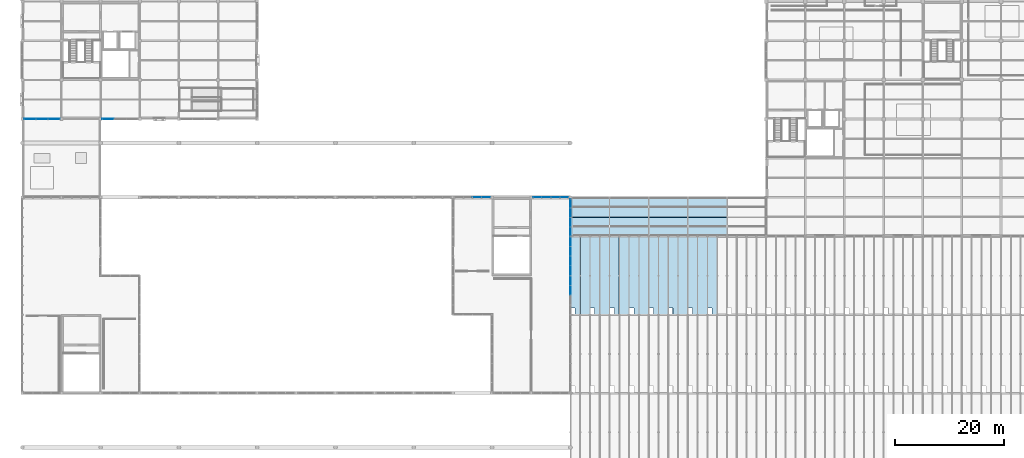
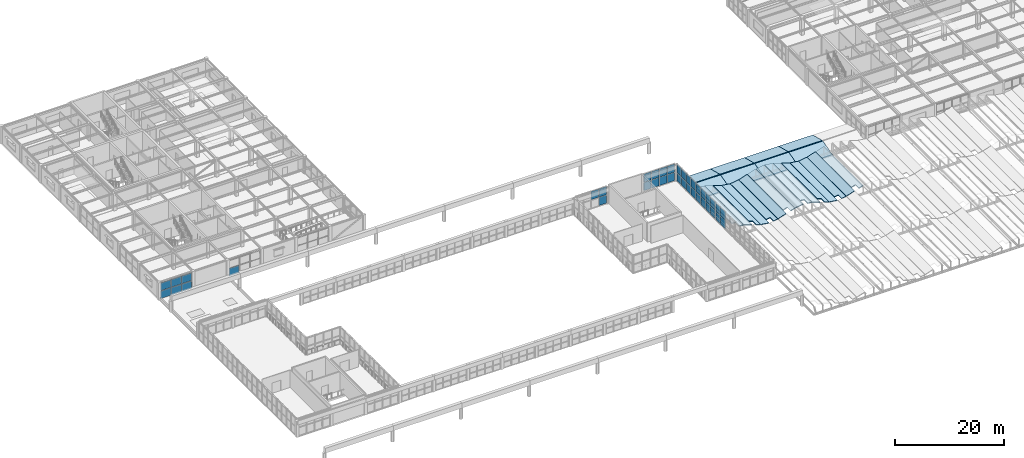
# One storey, part 56 of 83: 38 plates, 23 slabs, 7 elements without a shape of their own.
"""IFC4 building model written with IfcOpenShell, lengths in metres."""

import ifcopenshell
import ifcopenshell.guid

model = None  # the IFC model being written
_history = None  # IfcOwnerHistory: only IFC2X3 demands one
_inside = {}  # id of a spatial element -> (the spatial element, [elements in it])
_under = {}  # id of a project, library or spatial element -> (it, [spatial elements below it])
_declared = {}  # id of a project -> (the project, [libraries it declares])
_typed = {}  # id of a type object -> (the type object, [elements of that type])
_made_of = {}  # id of a material, layer set ... -> (it, [elements and type objects made of it])


def new_model(schema):
    """Start an empty IFC model of exactly this schema.

    Asked for "IFC4X3", IfcOpenShell would pick the latest addendum, in which some entities
    have other attributes; the version numbers below select the first issue.
    IFC2X3 requires an IfcOwnerHistory on every rooted entity: one is made here for all.
    """
    global model, _history
    if schema == "IFC4X3":
        model = ifcopenshell.file(schema_version=(4, 3, 0, 0))
    else:
        model = ifcopenshell.file(schema=schema)
    _inside.clear()
    _under.clear()
    _declared.clear()
    _typed.clear()
    _made_of.clear()
    _history = None
    if model.schema == "IFC2X3":
        org = make("IfcOrganization", Name="unknown")
        user = make(
            "IfcPersonAndOrganization",
            ThePerson=make("IfcPerson", FamilyName="unknown"),
            TheOrganization=org,
        )
        app = make(
            "IfcApplication",
            ApplicationDeveloper=org,
            Version="unknown",
            ApplicationFullName="unknown",
            ApplicationIdentifier="unknown",
        )
        _history = make(
            "IfcOwnerHistory",
            OwningUser=user,
            OwningApplication=app,
            ChangeAction="ADDED",
            CreationDate=0,
        )
    return model


def make(cls, **values):
    """One entity of the class cls with the attributes given. An attribute that is None is left unset."""
    return model.create_entity(
        cls, **{name: value for name, value in values.items() if value is not None}
    )


def rooted(cls, **values):
    """An entity with a GlobalId (a new one), such as an element, a storey or a relation."""
    return make(cls, GlobalId=ifcopenshell.guid.new(), OwnerHistory=_history, **values)


def si_unit(unit_type, name, prefix=None):
    """IfcSIUnit, for example si_unit("LENGTHUNIT", "METRE", prefix="MILLI")."""
    return make("IfcSIUnit", UnitType=unit_type, Prefix=prefix, Name=name)


def assignment(units):
    """IfcUnitAssignment: the units of a project."""
    return None if units is None else make("IfcUnitAssignment", Units=units)


def point(xyz):
    """IfcCartesianPoint."""
    return None if xyz is None else make("IfcCartesianPoint", Coordinates=xyz)


def direction(xyz):
    """IfcDirection."""
    return None if xyz is None else make("IfcDirection", DirectionRatios=xyz)


def frame(location, z_axis=None, x_axis=None):
    """IfcAxis2Placement3D, a coordinate frame: its origin and axes. An axis left out is left unset."""
    return make(
        "IfcAxis2Placement3D",
        Location=point(location),
        Axis=direction(z_axis),
        RefDirection=direction(x_axis),
    )


def frame_2d(location, x_axis=None):
    """IfcAxis2Placement2D, a coordinate frame in the plane: its origin and x axis."""
    return make(
        "IfcAxis2Placement2D", Location=point(location), RefDirection=direction(x_axis)
    )


def origin():
    """The frame at (0, 0, 0) with its axes left unset."""
    return frame((0.0, 0.0, 0.0))


def origin_2d():
    """The frame at (0, 0) in the plane with its x axis left unset."""
    return frame_2d((0.0, 0.0))


def place(relative_to, where):
    """IfcLocalPlacement: puts the frame where relative to a parent placement (None: the world)."""
    return make(
        "IfcLocalPlacement", PlacementRelTo=relative_to, RelativePlacement=where
    )


def context(
    kind, dimensions, precision=None, world=None, true_north=None, identifier=None
):
    """IfcGeometricRepresentationContext, for example the 3D "Model" context."""
    return make(
        "IfcGeometricRepresentationContext",
        ContextIdentifier=identifier,
        ContextType=kind,
        CoordinateSpaceDimension=dimensions,
        Precision=precision,
        WorldCoordinateSystem=world,
        TrueNorth=true_north,
    )


def subcontext(parent, identifier, kind, view, scale=None):
    """IfcGeometricRepresentationSubContext, for example "Body" below "Model"."""
    return make(
        "IfcGeometricRepresentationSubContext",
        ContextIdentifier=identifier,
        ContextType=kind,
        ParentContext=parent,
        TargetScale=scale,
        TargetView=view,
    )


def project(units=None, contexts=None):
    """IfcProject with its units and contexts."""
    return rooted(
        "IfcProject",
        Name="project",
        RepresentationContexts=contexts,
        UnitsInContext=assignment(units),
    )


def spatial(cls, under=None, at=None, **own):
    """A site, building, storey or space (cls), placed at a placement, below another one or the project."""
    s = rooted(cls, ObjectPlacement=at, **own)
    if under is not None:
        _under.setdefault(under.id(), (under, []))[1].append(s)
    return s


def polyline(points):
    """IfcPolyline through the points."""
    return make("IfcPolyline", Points=[point(p) for p in points])


def profile(cls, at=None, kind="AREA", **sizes):
    """A parametric profile (cls). Its sizes go by their IFC names, for example OverallWidth=200.0."""
    return make(cls, ProfileType=kind, Position=at, **sizes)


def rectangle(**sizes):
    """IfcRectangleProfileDef."""
    return profile("IfcRectangleProfileDef", **sizes)


def outline(outer, holes=None, kind="AREA"):
    """IfcArbitraryClosedProfileDef: a profile drawn as a closed curve; with holes, ...WithVoids."""
    if holes is None:
        return make("IfcArbitraryClosedProfileDef", ProfileType=kind, OuterCurve=outer)
    return make(
        "IfcArbitraryProfileDefWithVoids",
        ProfileType=kind,
        OuterCurve=outer,
        InnerCurves=holes,
    )


def extrude(swept, where, along, depth):
    """IfcExtrudedAreaSolid: the profile swept, set in the frame where, extruded along a direction by depth."""
    return make(
        "IfcExtrudedAreaSolid",
        SweptArea=swept,
        Position=where,
        ExtrudedDirection=direction(along),
        Depth=depth,
    )


def shape(context_of_items, identifier, shape_type, items):
    """IfcShapeRepresentation: the items that make up one representation, for example the "Body"."""
    return make(
        "IfcShapeRepresentation",
        ContextOfItems=context_of_items,
        RepresentationIdentifier=identifier,
        RepresentationType=shape_type,
        Items=items,
    )


def material(Name=None, Category=None):
    """IfcMaterial."""
    return make("IfcMaterial", Name=Name, Category=Category)


def layer(
    of_material, thickness, ventilated=None, Name=None, Category=None, Priority=None
):
    """IfcMaterialLayer: one layer of a wall or slab, of a material (None: an air gap)."""
    return make(
        "IfcMaterialLayer",
        Material=of_material,
        LayerThickness=thickness,
        IsVentilated=ventilated,
        Name=Name,
        Category=Category,
        Priority=Priority,
    )


def layer_set(layers, Name=None):
    """IfcMaterialLayerSet."""
    return make("IfcMaterialLayerSet", MaterialLayers=layers, LayerSetName=Name)


def made_of(thing, what):
    """Note that an element or type object is made of a material, layer set ...; save() writes the relation."""
    if what is not None:
        _made_of.setdefault(what.id(), (what, []))[1].append(thing)
    return thing


def type_object(cls, material=None, **own):
    """A type object (cls), such as IfcWallType, which elements share."""
    return made_of(rooted(cls, **own), material)


def element(
    cls,
    number,
    at=None,
    inside=None,
    cuts=None,
    type_object=None,
    material=None,
    context=None,
    identifier="Body",
    shape_type=None,
    held_by="IfcProductDefinitionShape",
    body=None,
    shapes=None,
    **own,
):
    """One element of the class cls, such as IfcWall. Its Tag is "e" and its number.

    at: its placement. inside: the storey or other place that contains it. cuts: it is an
    opening in that element (IfcRelVoidsElement). A single representation is given by context,
    identifier, shape_type and body (its items); several are given by shapes. held_by: the class
    of the entity that holds the representations. save() writes the other relations.
    """
    e = rooted(cls, Tag="e%d" % number, ObjectPlacement=at, **own)
    if body is not None:
        shapes = [shape(context, identifier, shape_type, body)]
    if shapes is not None:
        e.Representation = make(held_by, Representations=shapes)
    if inside is not None:
        _inside.setdefault(inside.id(), (inside, []))[1].append(e)
    if cuts is not None:
        rooted(
            "IfcRelVoidsElement", RelatingBuildingElement=cuts, RelatedOpeningElement=e
        )
    if type_object is not None:
        _typed.setdefault(type_object.id(), (type_object, []))[1].append(e)
    return made_of(e, material)


def aggregate(whole, parts):
    """IfcRelAggregates: a whole, such as a stair, and the parts it consists of."""
    return rooted("IfcRelAggregates", RelatingObject=whole, RelatedObjects=parts)


def save(model, path):
    """Write the relations noted so far, then the file.

    IfcRelAggregates (storeys below a building ...), IfcRelContainedInSpatialStructure (elements
    in a storey), IfcRelDefinesByType, IfcRelAssociatesMaterial and IfcRelDeclares: one each for
    every whole, place, type object, material and project.
    """
    for whole, parts in _under.values():
        aggregate(whole, parts)
    for where, things in _inside.values():
        rooted(
            "IfcRelContainedInSpatialStructure",
            RelatedElements=things,
            RelatingStructure=where,
        )
    for kind, things in _typed.values():
        rooted("IfcRelDefinesByType", RelatedObjects=things, RelatingType=kind)
    for what, things in _made_of.values():
        rooted("IfcRelAssociatesMaterial", RelatedObjects=things, RelatingMaterial=what)
    for by, libraries in _declared.values():
        rooted("IfcRelDeclares", RelatingContext=by, RelatedDefinitions=libraries)
    model.write(path)


model = new_model("IFC4")

# Units and contexts
model_context = context("Model", 3, precision=1e-05, world=origin(), true_north=direction((0.0, 1.0)))
body_context = subcontext(model_context, "Body", "Model", "MODEL_VIEW")
ifc_project = project(units=[si_unit("LENGTHUNIT", "METRE"), si_unit("AREAUNIT", "SQUARE_METRE"), si_unit("VOLUMEUNIT", "CUBIC_METRE"), si_unit("PLANEANGLEUNIT", "RADIAN"), si_unit("MASSUNIT", "GRAM", prefix="KILO")], contexts=[model_context])

# Site, building, storey
site_placement = place(None, origin())
site = spatial("IfcSite", under=ifc_project, at=site_placement, CompositionType="ELEMENT")
building_placement = place(site_placement, origin())
building = spatial("IfcBuilding", under=site, at=building_placement, Name="Leyfeld Transit Interchange", CompositionType="ELEMENT")
storey_placement = place(building_placement, frame((0.0, 0.0, 5.39990234375)))
storey = spatial("IfcBuildingStorey", under=building, at=storey_placement, Name="L01", CompositionType="ELEMENT", Elevation=5.39990234375)

# Curtain wall, plate
ifc_material_1 = material(Name="Anodised aluminium EN AW-6060 T66", Category="aluminium")
curtain_wall_type_1 = type_object("IfcCurtainWallType", Name="CW-SYS-CYC-7200", PredefinedType="NOTDEFINED", material=ifc_material_1)
curtain_wall_1_placement = place(storey_placement, origin())
curtain_wall_1 = element("IfcCurtainWall", 1, at=curtain_wall_1_placement, inside=storey, type_object=curtain_wall_type_1, Name="Curtain Wall CW-L01-069", PredefinedType="NOTDEFINED")
ifc_material_2 = material(Name="Triple low-E insulated glazing", Category="glass")
ifc_layer_1 = layer(ifc_material_2, 0.0380859375, Name="Triple low-E insulated glazing")
ifc_layer_set_1 = layer_set([ifc_layer_1], Name="Triple low-E insulated glazing")
plate_type_1 = type_object("IfcPlateType", Name="CW-PNL-GLZ-38", PredefinedType="CURTAIN_PANEL", material=ifc_layer_set_1)
plate_1_placement = place(storey_placement, frame((15.79296875, 64.800048828125, 0.0634765625), z_axis=(0.0, 0.0, 1.0), x_axis=(-1.0, 0.0, 0.0)))
plate_1 = element("IfcPlate", 2, at=plate_1_placement, type_object=plate_type_1, Name="Glazed Curtain Panel CW-L01-069-P03_1", PredefinedType="CURTAIN_PANEL", context=body_context, shape_type="SweptSolid", body=[
    extrude(rectangle(XDim=2.12890625, YDim=0.0380859375, at=origin_2d()), origin(), (0.0, 0.0, 1.0), 1.715576171875),
])
aggregate(curtain_wall_1, [plate_1])

# Curtain wall, plates
curtain_wall_2_placement = place(storey_placement, origin())
curtain_wall_2 = element("IfcCurtainWall", 3, at=curtain_wall_2_placement, inside=storey, type_object=curtain_wall_type_1, Name="Curtain Wall CW-L01-070", PredefinedType="NOTDEFINED")
plate_2_placement = place(storey_placement, frame((5.80712890625, 64.800048828125, 0.0634765625), z_axis=(0.0, 0.0, 1.0), x_axis=(-1.0, 0.0, 0.0)))
plate_2 = element("IfcPlate", 4, at=plate_2_placement, type_object=plate_type_1, Name="Glazed Curtain Panel CW-L01-070-P01_1", PredefinedType="CURTAIN_PANEL", context=body_context, shape_type="SweptSolid", body=[
    extrude(rectangle(XDim=2.12890625, YDim=0.0380859375, at=origin_2d()), origin(), (0.0, 0.0, 1.0), 1.715576171875),
])
plate_3_placement = place(storey_placement, frame((5.80712890625, 64.800048828125, 1.8408203125), z_axis=(0.0, 0.0, 1.0), x_axis=(-1.0, 0.0, 0.0)))
plate_3 = element("IfcPlate", 5, at=plate_3_placement, type_object=plate_type_1, Name="Glazed Curtain Panel CW-L01-070-P01_2", PredefinedType="CURTAIN_PANEL", context=body_context, shape_type="SweptSolid", body=[
    extrude(rectangle(XDim=2.12890625, YDim=0.0380859375, at=origin_2d()), origin(), (0.0, 0.0, 1.0), 1.715576171875),
])
plate_4_placement = place(storey_placement, frame((3.60009765625, 64.800048828125, 0.0634765625), z_axis=(0.0, 0.0, 1.0), x_axis=(-1.0, 0.0, 0.0)))
plate_4 = element("IfcPlate", 6, at=plate_4_placement, type_object=plate_type_1, Name="Glazed Curtain Panel CW-L01-070-P02_1", PredefinedType="CURTAIN_PANEL", context=body_context, shape_type="SweptSolid", body=[
    extrude(rectangle(XDim=2.161376953125, YDim=0.0380859375, at=origin_2d()), origin(), (0.0, 0.0, 1.0), 1.715576171875),
])
plate_5_placement = place(storey_placement, frame((3.60009765625, 64.800048828125, 1.8408203125), z_axis=(0.0, 0.0, 1.0), x_axis=(-1.0, 0.0, 0.0)))
plate_5 = element("IfcPlate", 7, at=plate_5_placement, type_object=plate_type_1, Name="Glazed Curtain Panel CW-L01-070-P02_2", PredefinedType="CURTAIN_PANEL", context=body_context, shape_type="SweptSolid", body=[
    extrude(rectangle(XDim=2.161376953125, YDim=0.0380859375, at=origin_2d()), origin(), (0.0, 0.0, 1.0), 1.715576171875),
])
plate_6_placement = place(storey_placement, frame((1.392822265625, 64.800048828125, 0.0634765625), z_axis=(0.0, 0.0, 1.0), x_axis=(-1.0, 0.0, 0.0)))
plate_6 = element("IfcPlate", 8, at=plate_6_placement, type_object=plate_type_1, Name="Glazed Curtain Panel CW-L01-070-P03_1", PredefinedType="CURTAIN_PANEL", context=body_context, shape_type="SweptSolid", body=[
    extrude(rectangle(XDim=2.12890625, YDim=0.0380859375, at=origin_2d()), origin(), (0.0, 0.0, 1.0), 1.715576171875),
])
plate_7_placement = place(storey_placement, frame((1.392822265625, 64.800048828125, 1.8408203125), z_axis=(0.0, 0.0, 1.0), x_axis=(-1.0, 0.0, 0.0)))
plate_7 = element("IfcPlate", 9, at=plate_7_placement, type_object=plate_type_1, Name="Glazed Curtain Panel CW-L01-070-P03_2", PredefinedType="CURTAIN_PANEL", context=body_context, shape_type="SweptSolid", body=[
    extrude(rectangle(XDim=2.12890625, YDim=0.0380859375, at=origin_2d()), origin(), (0.0, 0.0, 1.0), 1.715576171875),
])
aggregate(curtain_wall_2, [plate_2, plate_3, plate_4, plate_5, plate_6, plate_7])

curtain_wall_type_2 = type_object("IfcCurtainWallType", Name="CW-SYS-ARC-7200", PredefinedType="NOTDEFINED", material=ifc_material_1)
curtain_wall_3_placement = place(storey_placement, origin())
curtain_wall_3 = element("IfcCurtainWall", 10, at=curtain_wall_3_placement, inside=storey, type_object=curtain_wall_type_2, Name="Curtain Wall CW-L01-079", PredefinedType="NOTDEFINED")
ifc_layer_2 = layer(ifc_material_2, 0.0439453125, Name="Triple low-E insulated glazing")
ifc_layer_set_2 = layer_set([ifc_layer_2], Name="Triple low-E insulated glazing")
plate_type_2 = type_object("IfcPlateType", Name="CW-PNL-GLZ-44", PredefinedType="CURTAIN_PANEL", material=ifc_layer_set_2)
plate_8_placement = place(storey_placement, frame((83.6337890625, 50.39990234375, 1.9912109375), z_axis=(0.0, 0.0, 1.0), x_axis=(1.0, 0.0, 0.0)))
plate_8 = element("IfcPlate", 11, at=plate_8_placement, type_object=plate_type_2, Name="Glazed Curtain Panel CW-L01-079-P03_2", PredefinedType="CURTAIN_PANEL", context=body_context, shape_type="SweptSolid", body=[
    extrude(rectangle(XDim=1.58544921875, YDim=0.0439453125, at=origin_2d()), origin(), (0.0, 0.0, 1.0), 1.825439453125),
])
plate_9_placement = place(storey_placement, frame((85.280029296875, 50.39990234375, 0.08349609375), z_axis=(0.0, 0.0, 1.0), x_axis=(1.0, 0.0, 0.0)))
plate_9 = element("IfcPlate", 12, at=plate_9_placement, type_object=plate_type_2, Name="Glazed Curtain Panel CW-L01-079-P04_1", PredefinedType="CURTAIN_PANEL", context=body_context, shape_type="SweptSolid", body=[
    extrude(rectangle(XDim=1.54296875, YDim=0.0439453125, at=origin_2d()), origin(), (0.0, 0.0, 1.0), 1.825439453125),
])
plate_10_placement = place(storey_placement, frame((85.280029296875, 50.39990234375, 1.9912109375), z_axis=(0.0, 0.0, 1.0), x_axis=(1.0, 0.0, 0.0)))
plate_10 = element("IfcPlate", 13, at=plate_10_placement, type_object=plate_type_2, Name="Glazed Curtain Panel CW-L01-079-P04_2", PredefinedType="CURTAIN_PANEL", context=body_context, shape_type="SweptSolid", body=[
    extrude(rectangle(XDim=1.54296875, YDim=0.0439453125, at=origin_2d()), origin(), (0.0, 0.0, 1.0), 1.825439453125),
])
aggregate(curtain_wall_3, [plate_8, plate_9, plate_10])

curtain_wall_4_placement = place(storey_placement, origin())
curtain_wall_4 = element("IfcCurtainWall", 14, at=curtain_wall_4_placement, inside=storey, type_object=curtain_wall_type_2, Name="Curtain Wall CW-L01-080", PredefinedType="NOTDEFINED")
plate_11_placement = place(storey_placement, frame((94.719970703125, 50.39990234375, 0.08349609375), z_axis=(0.0, 0.0, 1.0), x_axis=(1.0, 0.0, 0.0)))
plate_11 = element("IfcPlate", 15, at=plate_11_placement, type_object=plate_type_2, Name="Glazed Curtain Panel CW-L01-080-P01_1", PredefinedType="CURTAIN_PANEL", context=body_context, shape_type="SweptSolid", body=[
    extrude(rectangle(XDim=1.54296875, YDim=0.0439453125, at=origin_2d()), origin(), (0.0, 0.0, 1.0), 1.825439453125),
])
plate_12_placement = place(storey_placement, frame((94.719970703125, 50.39990234375, 1.9912109375), z_axis=(0.0, 0.0, 1.0), x_axis=(1.0, 0.0, 0.0)))
plate_12 = element("IfcPlate", 16, at=plate_12_placement, type_object=plate_type_2, Name="Glazed Curtain Panel CW-L01-080-P01_2", PredefinedType="CURTAIN_PANEL", context=body_context, shape_type="SweptSolid", body=[
    extrude(rectangle(XDim=1.54296875, YDim=0.0439453125, at=origin_2d()), origin(), (0.0, 0.0, 1.0), 1.825439453125),
])
plate_13_placement = place(storey_placement, frame((96.3662109375, 50.39990234375, 0.08349609375), z_axis=(0.0, 0.0, 1.0), x_axis=(1.0, 0.0, 0.0)))
plate_13 = element("IfcPlate", 17, at=plate_13_placement, type_object=plate_type_2, Name="Glazed Curtain Panel CW-L01-080-P02_1", PredefinedType="CURTAIN_PANEL", context=body_context, shape_type="SweptSolid", body=[
    extrude(rectangle(XDim=1.58544921875, YDim=0.0439453125, at=origin_2d()), origin(), (0.0, 0.0, 1.0), 1.825439453125),
])
plate_14_placement = place(storey_placement, frame((96.3662109375, 50.39990234375, 1.9912109375), z_axis=(0.0, 0.0, 1.0), x_axis=(1.0, 0.0, 0.0)))
plate_14 = element("IfcPlate", 18, at=plate_14_placement, type_object=plate_type_2, Name="Glazed Curtain Panel CW-L01-080-P02_2", PredefinedType="CURTAIN_PANEL", context=body_context, shape_type="SweptSolid", body=[
    extrude(rectangle(XDim=1.58544921875, YDim=0.0439453125, at=origin_2d()), origin(), (0.0, 0.0, 1.0), 1.825439453125),
])
plate_15_placement = place(storey_placement, frame((98.03369140625, 50.39990234375, 0.08349609375), z_axis=(0.0, 0.0, 1.0), x_axis=(1.0, 0.0, 0.0)))
plate_15 = element("IfcPlate", 19, at=plate_15_placement, type_object=plate_type_2, Name="Glazed Curtain Panel CW-L01-080-P03_1", PredefinedType="CURTAIN_PANEL", context=body_context, shape_type="SweptSolid", body=[
    extrude(rectangle(XDim=1.58544921875, YDim=0.0439453125, at=origin_2d()), origin(), (0.0, 0.0, 1.0), 1.825439453125),
])
plate_16_placement = place(storey_placement, frame((98.03369140625, 50.39990234375, 1.9912109375), z_axis=(0.0, 0.0, 1.0), x_axis=(1.0, 0.0, 0.0)))
plate_16 = element("IfcPlate", 20, at=plate_16_placement, type_object=plate_type_2, Name="Glazed Curtain Panel CW-L01-080-P03_2", PredefinedType="CURTAIN_PANEL", context=body_context, shape_type="SweptSolid", body=[
    extrude(rectangle(XDim=1.58544921875, YDim=0.0439453125, at=origin_2d()), origin(), (0.0, 0.0, 1.0), 1.825439453125),
])
plate_17_placement = place(storey_placement, frame((99.679931640625, 50.39990234375, 0.08349609375), z_axis=(0.0, 0.0, 1.0), x_axis=(1.0, 0.0, 0.0)))
plate_17 = element("IfcPlate", 21, at=plate_17_placement, type_object=plate_type_2, Name="Glazed Curtain Panel CW-L01-080-P04_1", PredefinedType="CURTAIN_PANEL", context=body_context, shape_type="SweptSolid", body=[
    extrude(rectangle(XDim=1.54296875, YDim=0.0439453125, at=origin_2d()), origin(), (0.0, 0.0, 1.0), 1.825439453125),
])
plate_18_placement = place(storey_placement, frame((99.679931640625, 50.39990234375, 1.9912109375), z_axis=(0.0, 0.0, 1.0), x_axis=(1.0, 0.0, 0.0)))
plate_18 = element("IfcPlate", 22, at=plate_18_placement, type_object=plate_type_2, Name="Glazed Curtain Panel CW-L01-080-P04_2", PredefinedType="CURTAIN_PANEL", context=body_context, shape_type="SweptSolid", body=[
    extrude(rectangle(XDim=1.54296875, YDim=0.0439453125, at=origin_2d()), origin(), (0.0, 0.0, 1.0), 1.825439453125),
])
aggregate(curtain_wall_4, [plate_11, plate_12, plate_13, plate_14, plate_15, plate_16, plate_17, plate_18])

curtain_wall_5_placement = place(storey_placement, origin())
curtain_wall_5 = element("IfcCurtainWall", 23, at=curtain_wall_5_placement, inside=storey, type_object=curtain_wall_type_2, Name="Curtain Wall CW-L01-081", PredefinedType="NOTDEFINED")
plate_19_placement = place(storey_placement, frame((100.800048828125, 49.25048828125, 0.08349609375), z_axis=(0.0, 0.0, 1.0), x_axis=(0.0, -1.0, 0.0)))
plate_19 = element("IfcPlate", 24, at=plate_19_placement, type_object=plate_type_2, Name="Glazed Curtain Panel CW-L01-081-P01_1", PredefinedType="CURTAIN_PANEL", context=body_context, shape_type="SweptSolid", body=[
    extrude(rectangle(XDim=1.601806640625, YDim=0.0439453125, at=origin_2d()), origin(), (0.0, 0.0, 1.0), 1.825439453125),
])
plate_20_placement = place(storey_placement, frame((100.800048828125, 49.25048828125, 1.9912109375), z_axis=(0.0, 0.0, 1.0), x_axis=(0.0, -1.0, 0.0)))
plate_20 = element("IfcPlate", 25, at=plate_20_placement, type_object=plate_type_2, Name="Glazed Curtain Panel CW-L01-081-P01_2", PredefinedType="CURTAIN_PANEL", context=body_context, shape_type="SweptSolid", body=[
    extrude(rectangle(XDim=1.601806640625, YDim=0.0439453125, at=origin_2d()), origin(), (0.0, 0.0, 1.0), 1.825439453125),
])
plate_21_placement = place(storey_placement, frame((100.800048828125, 47.545654296875, 0.08349609375), z_axis=(0.0, 0.0, 1.0), x_axis=(0.0, -1.0, 0.0)))
plate_21 = element("IfcPlate", 26, at=plate_21_placement, type_object=plate_type_2, Name="Glazed Curtain Panel CW-L01-081-P02_1", PredefinedType="CURTAIN_PANEL", context=body_context, shape_type="SweptSolid", body=[
    extrude(rectangle(XDim=1.644287109375, YDim=0.0439453125, at=origin_2d()), origin(), (0.0, 0.0, 1.0), 1.825439453125),
])
plate_22_placement = place(storey_placement, frame((100.800048828125, 47.545654296875, 1.9912109375), z_axis=(0.0, 0.0, 1.0), x_axis=(0.0, -1.0, 0.0)))
plate_22 = element("IfcPlate", 27, at=plate_22_placement, type_object=plate_type_2, Name="Glazed Curtain Panel CW-L01-081-P02_2", PredefinedType="CURTAIN_PANEL", context=body_context, shape_type="SweptSolid", body=[
    extrude(rectangle(XDim=1.644287109375, YDim=0.0439453125, at=origin_2d()), origin(), (0.0, 0.0, 1.0), 1.825439453125),
])
plate_23_placement = place(storey_placement, frame((100.800048828125, 45.8193359375, 0.08349609375), z_axis=(0.0, 0.0, 1.0), x_axis=(0.0, -1.0, 0.0)))
plate_23 = element("IfcPlate", 28, at=plate_23_placement, type_object=plate_type_2, Name="Glazed Curtain Panel CW-L01-081-P03_1", PredefinedType="CURTAIN_PANEL", context=body_context, shape_type="SweptSolid", body=[
    extrude(rectangle(XDim=1.644287109375, YDim=0.0439453125, at=origin_2d()), origin(), (0.0, 0.0, 1.0), 1.825439453125),
])
plate_24_placement = place(storey_placement, frame((100.800048828125, 45.8193359375, 1.9912109375), z_axis=(0.0, 0.0, 1.0), x_axis=(0.0, -1.0, 0.0)))
plate_24 = element("IfcPlate", 29, at=plate_24_placement, type_object=plate_type_2, Name="Glazed Curtain Panel CW-L01-081-P03_2", PredefinedType="CURTAIN_PANEL", context=body_context, shape_type="SweptSolid", body=[
    extrude(rectangle(XDim=1.644287109375, YDim=0.0439453125, at=origin_2d()), origin(), (0.0, 0.0, 1.0), 1.825439453125),
])
plate_25_placement = place(storey_placement, frame((100.800048828125, 44.114501953125, 0.08349609375), z_axis=(0.0, 0.0, 1.0), x_axis=(0.0, -1.0, 0.0)))
plate_25 = element("IfcPlate", 30, at=plate_25_placement, type_object=plate_type_2, Name="Glazed Curtain Panel CW-L01-081-P04_1", PredefinedType="CURTAIN_PANEL", context=body_context, shape_type="SweptSolid", body=[
    extrude(rectangle(XDim=1.601806640625, YDim=0.0439453125, at=origin_2d()), origin(), (0.0, 0.0, 1.0), 1.825439453125),
])
plate_26_placement = place(storey_placement, frame((100.800048828125, 44.114501953125, 1.9912109375), z_axis=(0.0, 0.0, 1.0), x_axis=(0.0, -1.0, 0.0)))
plate_26 = element("IfcPlate", 31, at=plate_26_placement, type_object=plate_type_2, Name="Glazed Curtain Panel CW-L01-081-P04_2", PredefinedType="CURTAIN_PANEL", context=body_context, shape_type="SweptSolid", body=[
    extrude(rectangle(XDim=1.601806640625, YDim=0.0439453125, at=origin_2d()), origin(), (0.0, 0.0, 1.0), 1.825439453125),
])
aggregate(curtain_wall_5, [plate_19, plate_20, plate_21, plate_22, plate_23, plate_24, plate_25, plate_26])

curtain_wall_6_placement = place(storey_placement, origin())
curtain_wall_6 = element("IfcCurtainWall", 32, at=curtain_wall_6_placement, inside=storey, type_object=curtain_wall_type_2, Name="Curtain Wall CW-L01-082", PredefinedType="NOTDEFINED")
plate_27_placement = place(storey_placement, frame((100.800048828125, 42.25634765625, 0.08349609375), z_axis=(0.0, 0.0, 1.0), x_axis=(0.0, -1.0, 0.0)))
plate_27 = element("IfcPlate", 33, at=plate_27_placement, type_object=plate_type_2, Name="Glazed Curtain Panel CW-L01-082-P01_1", PredefinedType="CURTAIN_PANEL", context=body_context, shape_type="SweptSolid", body=[
    extrude(rectangle(XDim=1.660400390625, YDim=0.0439453125, at=origin_2d()), origin(), (0.0, 0.0, 1.0), 1.825439453125),
])
plate_28_placement = place(storey_placement, frame((100.800048828125, 42.25634765625, 1.9912109375), z_axis=(0.0, 0.0, 1.0), x_axis=(0.0, -1.0, 0.0)))
plate_28 = element("IfcPlate", 34, at=plate_28_placement, type_object=plate_type_2, Name="Glazed Curtain Panel CW-L01-082-P01_2", PredefinedType="CURTAIN_PANEL", context=body_context, shape_type="SweptSolid", body=[
    extrude(rectangle(XDim=1.660400390625, YDim=0.0439453125, at=origin_2d()), origin(), (0.0, 0.0, 1.0), 1.825439453125),
])
plate_29_placement = place(storey_placement, frame((100.800048828125, 40.492431640625, 0.08349609375), z_axis=(0.0, 0.0, 1.0), x_axis=(0.0, -1.0, 0.0)))
plate_29 = element("IfcPlate", 35, at=plate_29_placement, type_object=plate_type_2, Name="Glazed Curtain Panel CW-L01-082-P02_1", PredefinedType="CURTAIN_PANEL", context=body_context, shape_type="SweptSolid", body=[
    extrude(rectangle(XDim=1.702880859375, YDim=0.0439453125, at=origin_2d()), origin(), (0.0, 0.0, 1.0), 1.825439453125),
])
plate_30_placement = place(storey_placement, frame((100.800048828125, 40.492431640625, 1.9912109375), z_axis=(0.0, 0.0, 1.0), x_axis=(0.0, -1.0, 0.0)))
plate_30 = element("IfcPlate", 36, at=plate_30_placement, type_object=plate_type_2, Name="Glazed Curtain Panel CW-L01-082-P02_2", PredefinedType="CURTAIN_PANEL", context=body_context, shape_type="SweptSolid", body=[
    extrude(rectangle(XDim=1.702880859375, YDim=0.0439453125, at=origin_2d()), origin(), (0.0, 0.0, 1.0), 1.825439453125),
])
plate_31_placement = place(storey_placement, frame((100.800048828125, 38.70751953125, 0.08349609375), z_axis=(0.0, 0.0, 1.0), x_axis=(0.0, -1.0, 0.0)))
plate_31 = element("IfcPlate", 37, at=plate_31_placement, type_object=plate_type_2, Name="Glazed Curtain Panel CW-L01-082-P03_1", PredefinedType="CURTAIN_PANEL", context=body_context, shape_type="SweptSolid", body=[
    extrude(rectangle(XDim=1.702880859375, YDim=0.0439453125, at=origin_2d()), origin(), (0.0, 0.0, 1.0), 1.825439453125),
])
plate_32_placement = place(storey_placement, frame((100.800048828125, 38.70751953125, 1.9912109375), z_axis=(0.0, 0.0, 1.0), x_axis=(0.0, -1.0, 0.0)))
plate_32 = element("IfcPlate", 38, at=plate_32_placement, type_object=plate_type_2, Name="Glazed Curtain Panel CW-L01-082-P03_2", PredefinedType="CURTAIN_PANEL", context=body_context, shape_type="SweptSolid", body=[
    extrude(rectangle(XDim=1.702880859375, YDim=0.0439453125, at=origin_2d()), origin(), (0.0, 0.0, 1.0), 1.825439453125),
])
plate_33_placement = place(storey_placement, frame((100.800048828125, 36.94384765625, 0.08349609375), z_axis=(0.0, 0.0, 1.0), x_axis=(0.0, -1.0, 0.0)))
plate_33 = element("IfcPlate", 39, at=plate_33_placement, type_object=plate_type_2, Name="Glazed Curtain Panel CW-L01-082-P04_1", PredefinedType="CURTAIN_PANEL", context=body_context, shape_type="SweptSolid", body=[
    extrude(rectangle(XDim=1.660400390625, YDim=0.0439453125, at=origin_2d()), origin(), (0.0, 0.0, 1.0), 1.825439453125),
])
plate_34_placement = place(storey_placement, frame((100.800048828125, 36.94384765625, 1.9912109375), z_axis=(0.0, 0.0, 1.0), x_axis=(0.0, -1.0, 0.0)))
plate_34 = element("IfcPlate", 40, at=plate_34_placement, type_object=plate_type_2, Name="Glazed Curtain Panel CW-L01-082-P04_2", PredefinedType="CURTAIN_PANEL", context=body_context, shape_type="SweptSolid", body=[
    extrude(rectangle(XDim=1.660400390625, YDim=0.0439453125, at=origin_2d()), origin(), (0.0, 0.0, 1.0), 1.825439453125),
])
aggregate(curtain_wall_6, [plate_27, plate_28, plate_29, plate_30, plate_31, plate_32, plate_33, plate_34])

curtain_wall_7_placement = place(storey_placement, origin())
curtain_wall_7 = element("IfcCurtainWall", 41, at=curtain_wall_7_placement, inside=storey, type_object=curtain_wall_type_2, Name="Curtain Wall CW-L01-083", PredefinedType="NOTDEFINED")
plate_35_placement = place(storey_placement, frame((100.800048828125, 35.05615234375, 0.08349609375), z_axis=(0.0, 0.0, 1.0), x_axis=(0.0, -1.0, 0.0)))
plate_35 = element("IfcPlate", 42, at=plate_35_placement, type_object=plate_type_2, Name="Glazed Curtain Panel CW-L01-083-P01_1", PredefinedType="CURTAIN_PANEL", context=body_context, shape_type="SweptSolid", body=[
    extrude(rectangle(XDim=1.660400390625, YDim=0.0439453125, at=origin_2d()), origin(), (0.0, 0.0, 1.0), 1.825439453125),
])
plate_36_placement = place(storey_placement, frame((100.800048828125, 35.05615234375, 1.9912109375), z_axis=(0.0, 0.0, 1.0), x_axis=(0.0, -1.0, 0.0)))
plate_36 = element("IfcPlate", 43, at=plate_36_placement, type_object=plate_type_2, Name="Glazed Curtain Panel CW-L01-083-P01_2", PredefinedType="CURTAIN_PANEL", context=body_context, shape_type="SweptSolid", body=[
    extrude(rectangle(XDim=1.660400390625, YDim=0.0439453125, at=origin_2d()), origin(), (0.0, 0.0, 1.0), 1.825439453125),
])
plate_37_placement = place(storey_placement, frame((100.800048828125, 33.29248046875, 0.08349609375), z_axis=(0.0, 0.0, 1.0), x_axis=(0.0, -1.0, 0.0)))
plate_37 = element("IfcPlate", 44, at=plate_37_placement, type_object=plate_type_2, Name="Glazed Curtain Panel CW-L01-083-P02_1", PredefinedType="CURTAIN_PANEL", context=body_context, shape_type="SweptSolid", body=[
    extrude(rectangle(XDim=1.702880859375, YDim=0.0439453125, at=origin_2d()), origin(), (0.0, 0.0, 1.0), 1.825439453125),
])
plate_38_placement = place(storey_placement, frame((100.800048828125, 33.29248046875, 1.9912109375), z_axis=(0.0, 0.0, 1.0), x_axis=(0.0, -1.0, 0.0)))
plate_38 = element("IfcPlate", 45, at=plate_38_placement, type_object=plate_type_2, Name="Glazed Curtain Panel CW-L01-083-P02_2", PredefinedType="CURTAIN_PANEL", context=body_context, shape_type="SweptSolid", body=[
    extrude(rectangle(XDim=1.702880859375, YDim=0.0439453125, at=origin_2d()), origin(), (0.0, 0.0, 1.0), 1.825439453125),
])
aggregate(curtain_wall_7, [plate_35, plate_36, plate_37, plate_38])

# Slabs
ifc_material_3 = material(Name="Precast concrete C40/50", Category="concrete")
ifc_layer_3 = layer(ifc_material_3, 0.18994140625, Name="Precast concrete C40/50")
ifc_layer_set_3 = layer_set([ifc_layer_3], Name="Precast concrete C40/50")
slab_type_1 = type_object("IfcSlabType", Name="SLB-EAVE-190", PredefinedType="ROOF", material=ifc_layer_set_3)
for number, where, z_axis, x_axis, name in (
    (46, (100.824951171875, 43.199951171875, 0.050048828125), (0.0, -0.24907905928, 0.968483155366), (1.0, 0.0, 0.0), "Passage Pitched Roof South 1"),
    (47, (100.824951171875, 46.89990234375, 0.9501953125), (0.0, 0.24907905928, 0.968483155366), (1.0, 0.0, 0.0), "Passage Pitched Roof North 1"),
):
    element("IfcSlab", number, at=place(storey_placement, frame(where, z_axis=z_axis, x_axis=x_axis)), inside=storey, type_object=slab_type_1, Name=name, PredefinedType="ROOF", context=body_context, shape_type="SweptSolid", body=[
        extrude(outline(polyline([(0.0, 0.0), (7.175048828125, 0.0), (7.175048828125, 3.6138986833242392), (0.0, 3.6138986833242392), (0.0, 0.0)])), origin(), (0.0, 0.0, -1.0), 0.18994140625),
    ])
for number, where, z_axis, x_axis, name in (
    (48, (108.0, 43.199951171875, 0.050048828125), (0.0, -0.24907905928, 0.968483155366), (1.0, 0.0, 0.0), "Passage Pitched Roof South 2"),
    (49, (108.0, 46.89990234375, 0.9501953125), (0.0, 0.24907905928, 0.968483155366), (1.0, 0.0, 0.0), "Passage Pitched Roof North 2"),
    (50, (115.199951171875, 43.199951171875, 0.050048828125), (0.0, -0.24907905928, 0.968483155366), (1.0, 0.0, 0.0), "Passage Pitched Roof South 3"),
    (51, (115.199951171875, 46.89990234375, 0.9501953125), (0.0, 0.24907905928, 0.968483155366), (1.0, 0.0, 0.0), "Passage Pitched Roof North 3"),
):
    element("IfcSlab", number, at=place(storey_placement, frame(where, z_axis=z_axis, x_axis=x_axis)), inside=storey, type_object=slab_type_1, Name=name, PredefinedType="ROOF", context=body_context, shape_type="SweptSolid", body=[
        extrude(outline(polyline([(0.0, 0.0), (7.199951171875, 0.0), (7.199951171875, 3.6138986833242392), (0.0, 3.6138986833242392), (0.0, 0.0)])), origin(), (0.0, 0.0, -1.0), 0.18994140625),
    ])
for number, where, z_axis, x_axis, name in (
    (52, (122.39990234375, 43.199951171875, 0.050048828125), (0.0, -0.24907905928, 0.968483155366), (1.0, 0.0, 0.0), "Passage Pitched Roof South 4"),
    (53, (122.39990234375, 46.89990234375, 0.9501953125), (0.0, 0.24907905928, 0.968483155366), (1.0, 0.0, 0.0), "Passage Pitched Roof North 4"),
):
    element("IfcSlab", number, at=place(storey_placement, frame(where, z_axis=z_axis, x_axis=x_axis)), inside=storey, type_object=slab_type_1, Name=name, PredefinedType="ROOF", context=body_context, shape_type="SweptSolid", body=[
        extrude(outline(polyline([(0.0, 0.0), (7.2001953125, 0.0), (7.2001953125, 3.6138986833242392), (0.0, 3.6138986833242392), (0.0, 0.0)])), origin(), (0.0, 0.0, -1.0), 0.18994140625),
    ])
ifc_layer_4 = layer(ifc_material_3, 0.179931640625, Name="Precast concrete C40/50")
ifc_layer_set_4 = layer_set([ifc_layer_4], Name="Precast concrete C40/50")
slab_type_2 = type_object("IfcSlabType", Name="SLB-WAVE-180", PredefinedType="ROOF", material=ifc_layer_set_4)
slab_1_placement = place(storey_placement, frame((100.824951171875, 30.070068359375, 2.800048828125), z_axis=(0.137485713229, -1.3471675e-05, 0.990503749855), x_axis=(0.990503749945, -6.11e-09, -0.137485713242)))
element("IfcSlab", 54, at=slab_1_placement, inside=storey, type_object=slab_type_2, Name="Bus Canopy Wave Shell R3 S1", PredefinedType="ROOF", context=body_context, shape_type="SweptSolid", body=[
    extrude(outline(polyline([(0.0, 0.0), (0.8531253887551137, 2.117582368135751e-22), (0.8531253963920757, -1.2499999998865712), (1.7719585525996893, -1.249999989514382), (1.7719584648671047, 13.109863290432559), (-8.009562263622505e-08, 13.10986328006037), (0.0, 0.0)])), origin(), (0.0, 0.0, -1.0), 0.179931640625),
])
slab_2_placement = place(storey_placement, frame((102.6201171875, 28.820068359375, 2.5458984375), z_axis=(0.317096029298, 0.0, 0.948393435344), x_axis=(0.948393435344, 0.0, -0.317096029298)))
element("IfcSlab", 55, at=slab_2_placement, inside=storey, type_object=slab_type_2, Name="Bus Canopy Wave Shell R3 S2", PredefinedType="ROOF", context=body_context, shape_type="SweptSolid", body=[
    extrude(outline(polyline([(0.0, 0.0), (1.8555227813884656, 0.0), (1.8555227813884656, 14.35986328125), (0.0, 14.35986328125), (0.0, 0.0)])), origin(), (0.0, 0.0, -1.0), 0.179931640625),
])
slab_3_placement = place(storey_placement, frame((104.419921875, 30.070068359375, 1.942626953125), z_axis=(0.317056978244, 4.01599e-07, 0.948406491198), x_axis=(0.948406491198, -5e-12, -0.317056978244)))
element("IfcSlab", 56, at=slab_3_placement, inside=storey, type_object=slab_type_2, Name="Bus Canopy Wave Shell R3 S3", PredefinedType="ROOF", context=body_context, shape_type="SweptSolid", body=[
    extrude(outline(polyline([(0.0, 0.0), (0.8963392883369066, 0.0), (0.8963392883433661, -1.2499999999998992), (1.8557543243754764, -1.2499999999907125), (1.8557543243012695, 13.10986328125813), (-6.774716185961031e-11, 13.109863281248943), (0.0, 0.0)])), origin(), (0.0, 0.0, -1.0), 0.179931640625),
])
slab_4_placement = place(storey_placement, frame((106.219970703125, 28.820068359375, 1.34375), z_axis=(0.137130242691, 0.0, 0.990553025607), x_axis=(0.990553025607, 0.0, -0.137130242691)))
element("IfcSlab", 57, at=slab_4_placement, inside=storey, type_object=slab_type_2, Name="Bus Canopy Wave Shell R3 S4", PredefinedType="ROOF", context=body_context, shape_type="SweptSolid", body=[
    extrude(outline(polyline([(0.0, 0.0), (1.7767951034686682, 0.0), (1.7767951034686682, 14.35986328125), (0.0, 14.35986328125), (0.0, 0.0)])), origin(), (0.0, 0.0, -1.0), 0.179931640625),
])
slab_5_placement = place(storey_placement, frame((108.02001953125, 30.070068359375, 1.10009765625), z_axis=(-0.137130749114, -3.63357e-07, 0.990552955499), x_axis=(0.990552955499, -4e-12, 0.137130749114)))
element("IfcSlab", 58, at=slab_5_placement, inside=storey, type_object=slab_type_2, Name="Bus Canopy Wave Shell R3 S5", PredefinedType="ROOF", context=body_context, shape_type="SweptSolid", body=[
    extrude(outline(polyline([(0.0, 0.0), (0.8582037138964391, 6.617444900424222e-24), (0.858203713901962, -1.2499999999999176), (1.776795103473959, -1.2499999999923972), (1.7767951034105127, 13.109863281256656), (-5.792354759695129e-11, 13.109863281249135), (0.0, 0.0)])), origin(), (0.0, 0.0, -1.0), 0.179931640625),
])
slab_6_placement = place(storey_placement, frame((109.820068359375, 28.820068359375, 1.354248046875), z_axis=(-0.317056465138, 0.0, 0.948406662732), x_axis=(0.948406662732, 0.0, 0.317056465138)))
element("IfcSlab", 59, at=slab_6_placement, inside=storey, type_object=slab_type_2, Name="Bus Canopy Wave Shell R3 S6", PredefinedType="ROOF", context=body_context, shape_type="SweptSolid", body=[
    extrude(outline(polyline([(0.0, 0.0), (1.8557543243692887, 0.0), (1.8557543243692887, 14.359863281250004), (0.0, 14.359863281250004), (0.0, 0.0)])), origin(), (0.0, 0.0, -1.0), 0.179931640625),
])
slab_7_placement = place(storey_placement, frame((111.6201171875, 30.070068359375, 1.95751953125), z_axis=(-0.317094683578, 1.053155e-06, 0.948393885285), x_axis=(0.948393885285, -3.6e-11, 0.317094683578)))
element("IfcSlab", 60, at=slab_7_placement, inside=storey, type_object=slab_type_2, Name="Bus Canopy Wave Shell R3 S7", PredefinedType="ROOF", context=body_context, shape_type="SweptSolid", body=[
    extrude(outline(polyline([(0.0, 0.0), (0.8961077456940822, -5.293955920339377e-23), (0.8961077457385161, -1.249999999999307), (1.8555227814310316, -1.2499999999361213), (1.8555227809205794, 13.109863281305916), (-4.660181016979226e-10, 13.109863281242731), (0.0, 0.0)])), origin(), (0.0, 0.0, -1.0), 0.179931640625),
])
slab_8_placement = place(storey_placement, frame((113.419921875, 28.820068359375, 2.556396484375), z_axis=(-0.137130242691, 0.0, 0.990553025607), x_axis=(0.990553025607, 0.0, 0.137130242691)))
element("IfcSlab", 61, at=slab_8_placement, inside=storey, type_object=slab_type_2, Name="Bus Canopy Wave Shell R3 S8", PredefinedType="ROOF", context=body_context, shape_type="SweptSolid", body=[
    extrude(outline(polyline([(0.0, 0.0), (1.7767951034686682, 0.0), (1.7767951034686682, 14.35986328125), (0.0, 14.35986328125), (0.0, 0.0)])), origin(), (0.0, 0.0, -1.0), 0.179931640625),
])
slab_9_placement = place(storey_placement, frame((115.219970703125, 30.070068359375, 2.800048828125), z_axis=(0.137130749114, 3.63357e-07, 0.990552955499), x_axis=(0.990552955499, -4e-12, -0.137130749114)))
element("IfcSlab", 62, at=slab_9_placement, inside=storey, type_object=slab_type_2, Name="Bus Canopy Wave Shell R3 S9", PredefinedType="ROOF", context=body_context, shape_type="SweptSolid", body=[
    extrude(outline(polyline([(0.0, 0.0), (0.8582037138964391, 6.617444900424222e-24), (0.858203713901962, -1.2499999999999176), (1.776795103473959, -1.2499999999923972), (1.7767951034105127, 13.109863281256656), (-5.792354759695129e-11, 13.109863281249135), (0.0, 0.0)])), origin(), (0.0, 0.0, -1.0), 0.179931640625),
])
slab_10_placement = place(storey_placement, frame((117.02001953125, 28.820068359375, 2.5458984375), z_axis=(0.317056465138, 0.0, 0.948406662732), x_axis=(0.948406662732, 0.0, -0.317056465138)))
element("IfcSlab", 63, at=slab_10_placement, inside=storey, type_object=slab_type_2, Name="Bus Canopy Wave Shell R3 S10", PredefinedType="ROOF", context=body_context, shape_type="SweptSolid", body=[
    extrude(outline(polyline([(0.0, 0.0), (1.8557543243692887, 0.0), (1.8557543243692887, 14.359863281250004), (0.0, 14.359863281250004), (0.0, 0.0)])), origin(), (0.0, 0.0, -1.0), 0.179931640625),
])
slab_11_placement = place(storey_placement, frame((118.820068359375, 30.070068359375, 1.942626953125), z_axis=(0.317053383555, -2.411901e-06, 0.94840769291), x_axis=(0.948407692913, -1.86e-10, -0.317053383556)))
element("IfcSlab", 64, at=slab_11_placement, inside=storey, type_object=slab_type_2, Name="Bus Canopy Wave Shell R3 S11", PredefinedType="ROOF", context=body_context, shape_type="SweptSolid", body=[
    extrude(outline(polyline([(0.0, 0.0), (0.8961077435272815, 2.117582368135751e-22), (0.8961077437603315, -1.2499999999963642), (1.8557543245925423, -1.2499999996649207), (1.8557543219152897, 13.109863281543312), (-2.444202646422176e-09, 13.109863281211869), (0.0, 0.0)])), origin(), (0.0, 0.0, -1.0), 0.179931640625),
])
slab_12_placement = place(storey_placement, frame((120.6201171875, 28.820068359375, 1.34375), z_axis=(0.137148909592, 0.0, 0.990550441218), x_axis=(0.990550441218, 0.0, -0.137148909592)))
element("IfcSlab", 65, at=slab_12_placement, inside=storey, type_object=slab_type_2, Name="Bus Canopy Wave Shell R3 S12", PredefinedType="ROOF", context=body_context, shape_type="SweptSolid", body=[
    extrude(outline(polyline([(0.0, 0.0), (1.7765532695493567, 0.0), (1.7765532695493567, 14.359863281250004), (0.0, 14.359863281250004), (0.0, 0.0)])), origin(), (0.0, 0.0, -1.0), 0.179931640625),
])
slab_13_placement = place(storey_placement, frame((122.419921875, 30.070068359375, 1.10009765625), z_axis=(-0.137130749114, -3.63357e-07, 0.990552955499), x_axis=(0.990552955499, -4e-12, 0.137130749114)))
element("IfcSlab", 66, at=slab_13_placement, inside=storey, type_object=slab_type_2, Name="Bus Canopy Wave Shell R3 S13", PredefinedType="ROOF", context=body_context, shape_type="SweptSolid", body=[
    extrude(outline(polyline([(0.0, 0.0), (0.8582037138964391, 6.617444900424222e-24), (0.858203713901962, -1.2499999999999176), (1.776795103473959, -1.2499999999923972), (1.7767951034105127, 13.109863281256656), (-5.792354759695129e-11, 13.109863281249135), (0.0, 0.0)])), origin(), (0.0, 0.0, -1.0), 0.179931640625),
])
slab_14_placement = place(storey_placement, frame((124.219970703125, 28.820068359375, 1.354248046875), z_axis=(-0.317056465138, 0.0, 0.948406662732), x_axis=(0.948406662732, 0.0, 0.317056465138)))
element("IfcSlab", 67, at=slab_14_placement, inside=storey, type_object=slab_type_2, Name="Bus Canopy Wave Shell R3 S14", PredefinedType="ROOF", context=body_context, shape_type="SweptSolid", body=[
    extrude(outline(polyline([(0.0, 0.0), (1.8557543243692887, 0.0), (1.8557543243692887, 14.359863281250004), (0.0, 14.359863281250004), (0.0, 0.0)])), origin(), (0.0, 0.0, -1.0), 0.179931640625),
])
slab_15_placement = place(storey_placement, frame((126.02001953125, 30.070068359375, 1.95751953125), z_axis=(-0.317056978244, -4.01599e-07, 0.948406491198), x_axis=(0.948406491198, -5e-12, 0.317056978244)))
element("IfcSlab", 68, at=slab_15_placement, inside=storey, type_object=slab_type_2, Name="Bus Canopy Wave Shell R3 S15", PredefinedType="ROOF", context=body_context, shape_type="SweptSolid", body=[
    extrude(outline(polyline([(0.0, 0.0), (0.8963392883369066, 0.0), (0.8963392883433661, -1.2499999999998992), (1.8557543243754764, -1.2499999999907125), (1.8557543243012695, 13.10986328125813), (-6.774716185961031e-11, 13.109863281248943), (0.0, 0.0)])), origin(), (0.0, 0.0, -1.0), 0.179931640625),
])

save(model, "model.ifc")
